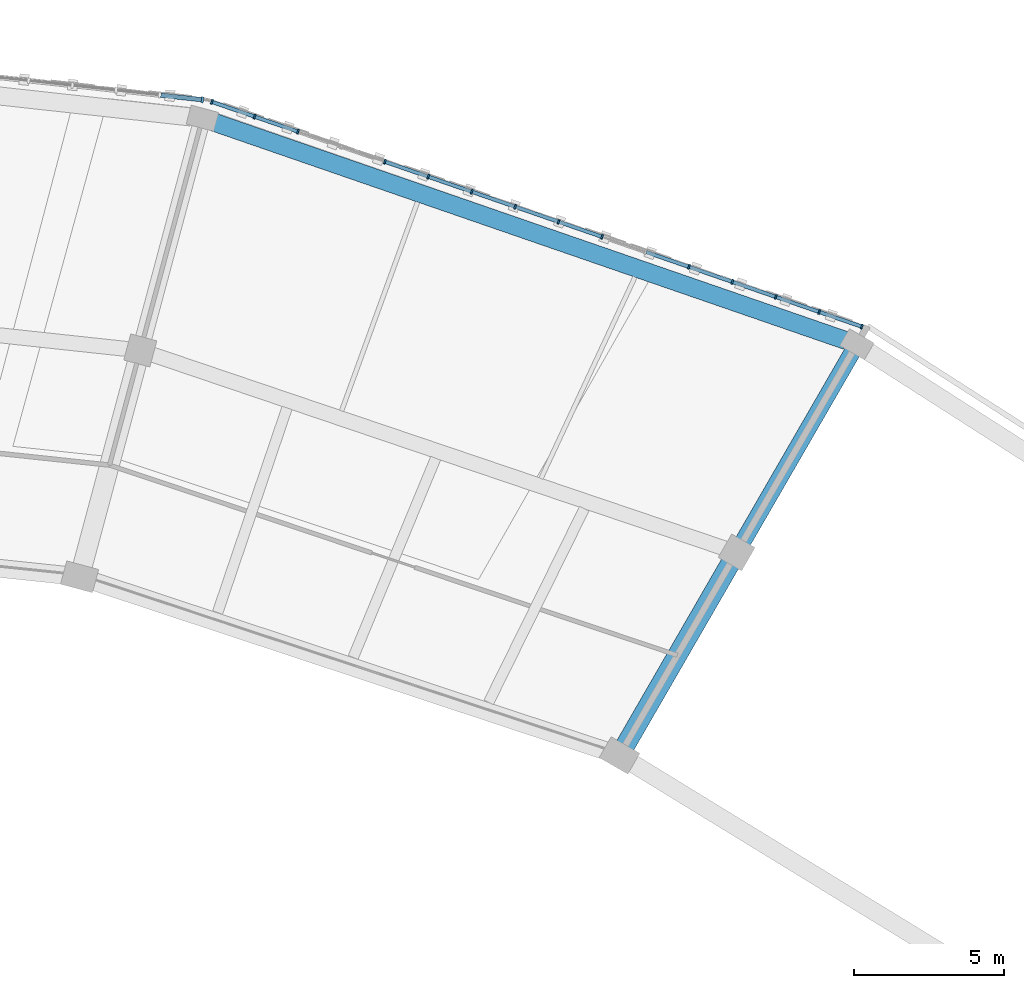
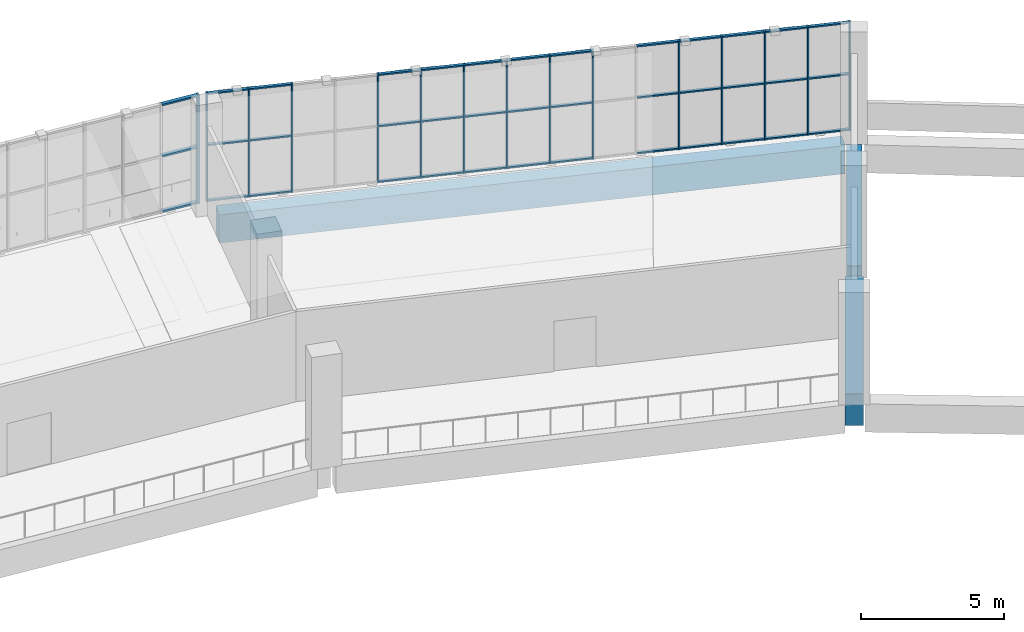
# One storey, part 31 of 64: 54 members, 3 beams, 2 elements without a shape of their own.
"""IFC4 building model written with IfcOpenShell, lengths in metres."""

from ifc_helpers import new_model, si_unit, direction, frame, origin, origin_2d, place, context, subcontext, project, spatial, rectangle, extrude, material, material_profile, profile_set, type_object, element, aggregate, save


model = new_model("IFC4")

# Units and contexts
model_context = context("Model", 3, precision=1e-05, world=origin(), true_north=direction((0.0, 1.0)))
body_context = subcontext(model_context, "Body", "Model", "MODEL_VIEW")
ifc_project = project(units=[si_unit("LENGTHUNIT", "METRE"), si_unit("AREAUNIT", "SQUARE_METRE"), si_unit("VOLUMEUNIT", "CUBIC_METRE"), si_unit("PLANEANGLEUNIT", "RADIAN"), si_unit("MASSUNIT", "GRAM", prefix="KILO")], contexts=[model_context])

# Site, building, storey
site_placement = place(None, origin())
site = spatial("IfcSite", under=ifc_project, at=site_placement, CompositionType="ELEMENT")
building_placement = place(site_placement, origin())
building = spatial("IfcBuilding", under=site, at=building_placement, Name="Zevraka Park Crest Stadium", CompositionType="ELEMENT")
storey_placement = place(building_placement, frame((0.0, 0.0, 24.60009765625)))
storey = spatial("IfcBuildingStorey", under=building, at=storey_placement, Name="L05", CompositionType="ELEMENT", Elevation=24.60009765625)

# Beams
ifc_material_1 = material(Name="Concrete C40/50", Category="concrete")
ifc_material_profile_1 = material_profile(ifc_material_1, rectangle(XDim=0.64990234375, YDim=1.35009765625, at=origin_2d()), Name="RC 1350x650")
ifc_profile_set_1 = profile_set([ifc_material_profile_1], Name="Concrete C40/50")
beam_type_1 = type_object("IfcBeamType", Name="BG01", PredefinedType="BEAM", material=ifc_profile_set_1)
beam_1_placement = place(storey_placement, frame((149.39990234375, 143.7890625, -0.68505859375), z_axis=(0.500041424909, 0.866001485781, 0.0), x_axis=(-0.866001485781, 0.500041424909, 0.0)))
element("IfcBeam", 1, at=beam_1_placement, inside=storey, type_object=beam_type_1, Name="Radial Girder BG01 L05-BC-04", PredefinedType="BEAM", context=body_context, shape_type="SweptSolid", body=[
    extrude(rectangle(XDim=0.64990234375, YDim=1.35009765625, at=origin_2d()), origin(), (0.0, 0.0, 1.0), 7.19970703125),
])
ifc_material_2 = material(Name="Concrete C40/50", Category="concrete")
ifc_material_profile_2 = material_profile(ifc_material_2, rectangle(XDim=0.550048828125, YDim=1.10009765625, at=origin_2d()), Name="RC 1100x550")
ifc_profile_set_2 = profile_set([ifc_material_profile_2], Name="Concrete C40/50")
beam_type_2 = type_object("IfcBeamType", Name="BG02", PredefinedType="BEAM", material=ifc_profile_set_2)
beam_2_placement = place(storey_placement, frame((153.300048828125, 150.5439453125, -0.56005859375), z_axis=(0.500031859608, 0.86600700885, 0.0), x_axis=(-0.86600700885, 0.500031859608, 0.0)))
element("IfcBeam", 2, at=beam_2_placement, inside=storey, type_object=beam_type_2, Name="Radial Girder BG02 L05-CD-04", PredefinedType="BEAM", context=body_context, shape_type="SweptSolid", body=[
    extrude(rectangle(XDim=0.550048828125, YDim=1.10009765625, at=origin_2d()), origin(), (0.0, 0.0, 1.0), 7.3994140625),
])

# Curtain wall, members
ifc_material_3 = material(Name="Anodised architectural aluminium and laminated safety glass", Category="aluminium")
curtain_wall_type_1 = type_object("IfcCurtainWallType", Name="CW22", PredefinedType="NOTDEFINED", material=ifc_material_3)
curtain_wall_1_placement = place(storey_placement, origin())
curtain_wall_1 = element("IfcCurtainWall", 3, at=curtain_wall_1_placement, inside=storey, type_object=curtain_wall_type_1, Name="Unitised Ring Curtain Wall CW22 L05-04", PredefinedType="NOTDEFINED")
ifc_material_4 = material(Name="Anodised architectural aluminium", Category="aluminium")
ifc_material_profile_3 = material_profile(ifc_material_4, rectangle(XDim=0.159912109375, YDim=0.06005859375, at=origin_2d()), Name="ALU MULLION 160x60")
ifc_profile_set_3 = profile_set([ifc_material_profile_3], Name="Anodised architectural aluminium")
member_type_1 = type_object("IfcMemberType", Name="CM01", PredefinedType="MULLION", material=ifc_profile_set_3)
member_1_placement = place(storey_placement, frame((157.313720703125, 157.7978515625, 0.0), z_axis=(0.0, 0.0, 1.0), x_axis=(-0.326929424834, -0.945048755979, 0.0)))
member_1 = element("IfcMember", 4, at=member_1_placement, type_object=member_type_1, Name="CW22 mullion 1", PredefinedType="MULLION", context=body_context, shape_type="SweptSolid", body=[
    extrude(rectangle(XDim=0.159912109375, YDim=0.06005859375, at=origin_2d()), origin(), (0.0, 0.0, 1.0), 4.619873046875),
])
member_2_placement = place(storey_placement, frame((155.896484375, 158.2880859375, 0.0), z_axis=(0.0, 0.0, 1.0), x_axis=(-0.326929424834, -0.945048755979, 0.0)))
member_2 = element("IfcMember", 5, at=member_2_placement, type_object=member_type_1, Name="CW22 mullion 2", PredefinedType="MULLION", context=body_context, shape_type="SweptSolid", body=[
    extrude(rectangle(XDim=0.159912109375, YDim=0.06005859375, at=origin_2d()), origin(), (0.0, 0.0, 1.0), 4.619873046875),
])
member_3_placement = place(storey_placement, frame((154.450927734375, 158.7880859375, 0.0), z_axis=(0.0, 0.0, 1.0), x_axis=(-0.326929424834, -0.945048755979, 0.0)))
member_3 = element("IfcMember", 6, at=member_3_placement, type_object=member_type_1, Name="CW22 mullion 3", PredefinedType="MULLION", context=body_context, shape_type="SweptSolid", body=[
    extrude(rectangle(XDim=0.159912109375, YDim=0.06005859375, at=origin_2d()), origin(), (0.0, 0.0, 1.0), 4.619873046875),
])
member_4_placement = place(storey_placement, frame((153.00537109375, 159.2880859375, 0.0), z_axis=(0.0, 0.0, 1.0), x_axis=(-0.326929424834, -0.945048755979, 0.0)))
member_4 = element("IfcMember", 7, at=member_4_placement, type_object=member_type_1, Name="CW22 mullion 4", PredefinedType="MULLION", context=body_context, shape_type="SweptSolid", body=[
    extrude(rectangle(XDim=0.159912109375, YDim=0.06005859375, at=origin_2d()), origin(), (0.0, 0.0, 1.0), 4.619873046875),
])
member_5_placement = place(storey_placement, frame((151.559814453125, 159.788330078125, 0.0), z_axis=(0.0, 0.0, 1.0), x_axis=(-0.326929424834, -0.945048755979, 0.0)))
member_5 = element("IfcMember", 8, at=member_5_placement, type_object=member_type_1, Name="CW22 mullion 5", PredefinedType="MULLION", context=body_context, shape_type="SweptSolid", body=[
    extrude(rectangle(XDim=0.159912109375, YDim=0.06005859375, at=origin_2d()), origin(), (0.0, 0.0, 1.0), 4.619873046875),
])
member_6_placement = place(storey_placement, frame((148.668701171875, 160.788330078125, 0.0), z_axis=(0.0, 0.0, 1.0), x_axis=(-0.326929424834, -0.945048755979, 0.0)))
member_6 = element("IfcMember", 9, at=member_6_placement, type_object=member_type_1, Name="CW22 mullion 7", PredefinedType="MULLION", context=body_context, shape_type="SweptSolid", body=[
    extrude(rectangle(XDim=0.159912109375, YDim=0.06005859375, at=origin_2d()), origin(), (0.0, 0.0, 1.0), 4.619873046875),
])
member_7_placement = place(storey_placement, frame((147.223388671875, 161.28857421875, 0.0), z_axis=(0.0, 0.0, 1.0), x_axis=(-0.326929424834, -0.945048755979, 0.0)))
member_7 = element("IfcMember", 10, at=member_7_placement, type_object=member_type_1, Name="CW22 mullion 8", PredefinedType="MULLION", context=body_context, shape_type="SweptSolid", body=[
    extrude(rectangle(XDim=0.159912109375, YDim=0.06005859375, at=origin_2d()), origin(), (0.0, 0.0, 1.0), 4.619873046875),
])
member_8_placement = place(storey_placement, frame((145.77783203125, 161.78857421875, 0.0), z_axis=(0.0, 0.0, 1.0), x_axis=(-0.326929424834, -0.945048755979, 0.0)))
member_8 = element("IfcMember", 11, at=member_8_placement, type_object=member_type_1, Name="CW22 mullion 9", PredefinedType="MULLION", context=body_context, shape_type="SweptSolid", body=[
    extrude(rectangle(XDim=0.159912109375, YDim=0.06005859375, at=origin_2d()), origin(), (0.0, 0.0, 1.0), 4.619873046875),
])
member_9_placement = place(storey_placement, frame((144.332275390625, 162.28857421875, 0.0), z_axis=(0.0, 0.0, 1.0), x_axis=(-0.326929424834, -0.945048755979, 0.0)))
member_9 = element("IfcMember", 12, at=member_9_placement, type_object=member_type_1, Name="CW22 mullion 10", PredefinedType="MULLION", context=body_context, shape_type="SweptSolid", body=[
    extrude(rectangle(XDim=0.159912109375, YDim=0.06005859375, at=origin_2d()), origin(), (0.0, 0.0, 1.0), 4.619873046875),
])
member_10_placement = place(storey_placement, frame((142.88671875, 162.78857421875, 0.0), z_axis=(0.0, 0.0, 1.0), x_axis=(-0.326929424834, -0.945048755979, 0.0)))
member_10 = element("IfcMember", 13, at=member_10_placement, type_object=member_type_1, Name="CW22 mullion 11", PredefinedType="MULLION", context=body_context, shape_type="SweptSolid", body=[
    extrude(rectangle(XDim=0.159912109375, YDim=0.06005859375, at=origin_2d()), origin(), (0.0, 0.0, 1.0), 4.619873046875),
])
member_11_placement = place(storey_placement, frame((141.441162109375, 163.288818359375, 0.0), z_axis=(0.0, 0.0, 1.0), x_axis=(-0.326929424834, -0.945048755979, 0.0)))
member_11 = element("IfcMember", 14, at=member_11_placement, type_object=member_type_1, Name="CW22 mullion 12", PredefinedType="MULLION", context=body_context, shape_type="SweptSolid", body=[
    extrude(rectangle(XDim=0.159912109375, YDim=0.06005859375, at=origin_2d()), origin(), (0.0, 0.0, 1.0), 4.619873046875),
])
member_12_placement = place(storey_placement, frame((138.550048828125, 164.288818359375, 0.0), z_axis=(0.0, 0.0, 1.0), x_axis=(-0.326929424834, -0.945048755979, 0.0)))
member_12 = element("IfcMember", 15, at=member_12_placement, type_object=member_type_1, Name="CW22 mullion 14", PredefinedType="MULLION", context=body_context, shape_type="SweptSolid", body=[
    extrude(rectangle(XDim=0.159912109375, YDim=0.06005859375, at=origin_2d()), origin(), (0.0, 0.0, 1.0), 4.619873046875),
])
member_13_placement = place(storey_placement, frame((137.1044921875, 164.788818359375, 0.0), z_axis=(0.0, 0.0, 1.0), x_axis=(-0.326929424834, -0.945048755979, 0.0)))
member_13 = element("IfcMember", 16, at=member_13_placement, type_object=member_type_1, Name="CW22 mullion 15", PredefinedType="MULLION", context=body_context, shape_type="SweptSolid", body=[
    extrude(rectangle(XDim=0.159912109375, YDim=0.06005859375, at=origin_2d()), origin(), (0.0, 0.0, 1.0), 4.619873046875),
])
member_14_placement = place(storey_placement, frame((135.687255859375, 165.279296875, 0.0), z_axis=(0.0, 0.0, 1.0), x_axis=(-0.326929424834, -0.945048755979, 0.0)))
member_14 = element("IfcMember", 17, at=member_14_placement, type_object=member_type_1, Name="CW22 mullion 16", PredefinedType="MULLION", context=body_context, shape_type="SweptSolid", body=[
    extrude(rectangle(XDim=0.159912109375, YDim=0.06005859375, at=origin_2d()), origin(), (0.0, 0.0, 1.0), 4.619873046875),
])

# Curtain wall, member
ifc_material_5 = material(Name="Anodised architectural aluminium and laminated safety glass", Category="aluminium")
curtain_wall_type_2 = type_object("IfcCurtainWallType", Name="CW21", PredefinedType="NOTDEFINED", material=ifc_material_5)
curtain_wall_2_placement = place(storey_placement, origin())
curtain_wall_2 = element("IfcCurtainWall", 18, at=curtain_wall_2_placement, inside=storey, type_object=curtain_wall_type_2, Name="Unitised Ring Curtain Wall CW21 L05-05", PredefinedType="NOTDEFINED")
ifc_material_6 = material(Name="Anodised architectural aluminium", Category="aluminium")
ifc_material_profile_4 = material_profile(ifc_material_6, rectangle(XDim=0.199951171875, YDim=0.070068359375, at=origin_2d()), Name="ALU MULLION 200x70")
ifc_profile_set_4 = profile_set([ifc_material_profile_4], Name="Anodised architectural aluminium")
member_type_2 = type_object("IfcMemberType", Name="CM03", PredefinedType="MULLION", material=ifc_profile_set_4)
member_15_placement = place(storey_placement, frame((135.3701171875, 165.349853515625, 0.0), z_axis=(0.0, 0.0, 1.0), x_axis=(-0.109287733215, -0.994010156572, 0.0)))
member_15 = element("IfcMember", 19, at=member_15_placement, type_object=member_type_2, Name="CW21 mullion 1", PredefinedType="MULLION", context=body_context, shape_type="SweptSolid", body=[
    extrude(rectangle(XDim=0.199951171875, YDim=0.070068359375, at=origin_2d()), origin(), (0.0, 0.0, 1.0), 4.619873046875),
])

# Member
ifc_material_7 = material(Name="Anodised architectural aluminium", Category="aluminium")
ifc_material_profile_5 = material_profile(ifc_material_7, rectangle(XDim=0.1201171875, YDim=0.06005859375, at=origin_2d()), Name="ALU TRANSOM 120x60")
ifc_profile_set_5 = profile_set([ifc_material_profile_5], Name="Anodised architectural aluminium")
member_type_3 = type_object("IfcMemberType", Name="CT01", PredefinedType="USERDEFINED", material=ifc_profile_set_5)
member_16_placement = place(storey_placement, frame((157.285400390625, 157.8076171875, 0.02978515625), z_axis=(-0.945044524948, 0.326941655141, 0.0), x_axis=(-0.326941655141, -0.945044524948, 0.0)))
member_16 = element("IfcMember", 20, at=member_16_placement, type_object=member_type_3, Name="CW22 transom 1.1", ObjectType="TRANSOM", PredefinedType="USERDEFINED", context=body_context, shape_type="SweptSolid", body=[
    extrude(rectangle(XDim=0.1201171875, YDim=0.06005859375, at=origin_2d()), origin(), (0.0, 0.0, 1.0), 1.439697265625),
])

member_17_placement = place(storey_placement, frame((157.285400390625, 157.8076171875, 2.39990234375), z_axis=(-0.945044524948, 0.326941655141, 0.0), x_axis=(-0.326941655141, -0.945044524948, 0.0)))
member_17 = element("IfcMember", 21, at=member_17_placement, type_object=member_type_3, Name="CW22 transom 1.2", ObjectType="TRANSOM", PredefinedType="USERDEFINED", context=body_context, shape_type="SweptSolid", body=[
    extrude(rectangle(XDim=0.1201171875, YDim=0.06005859375, at=origin_2d()), origin(), (0.0, 0.0, 1.0), 1.439697265625),
])

member_18_placement = place(storey_placement, frame((157.285400390625, 157.8076171875, 4.58984375), z_axis=(-0.945044524948, 0.326941655141, 0.0), x_axis=(-0.326941655141, -0.945044524948, 0.0)))
member_18 = element("IfcMember", 22, at=member_18_placement, type_object=member_type_3, Name="CW22 transom 1.3", ObjectType="TRANSOM", PredefinedType="USERDEFINED", context=body_context, shape_type="SweptSolid", body=[
    extrude(rectangle(XDim=0.1201171875, YDim=0.06005859375, at=origin_2d()), origin(), (0.0, 0.0, 1.0), 1.439697265625),
])

member_19_placement = place(storey_placement, frame((155.8681640625, 158.2978515625, 0.02978515625), z_axis=(-0.945051229525, 0.326922274513, 0.0), x_axis=(-0.326922274513, -0.945051229525, 0.0)))
member_19 = element("IfcMember", 23, at=member_19_placement, type_object=member_type_3, Name="CW22 transom 2.1", ObjectType="TRANSOM", PredefinedType="USERDEFINED", context=body_context, shape_type="SweptSolid", body=[
    extrude(rectangle(XDim=0.1201171875, YDim=0.06005859375, at=origin_2d()), origin(), (0.0, 0.0, 1.0), 1.4697265625),
])

member_20_placement = place(storey_placement, frame((155.8681640625, 158.2978515625, 2.39990234375), z_axis=(-0.945051229525, 0.326922274513, 0.0), x_axis=(-0.326922274513, -0.945051229525, 0.0)))
member_20 = element("IfcMember", 24, at=member_20_placement, type_object=member_type_3, Name="CW22 transom 2.2", ObjectType="TRANSOM", PredefinedType="USERDEFINED", context=body_context, shape_type="SweptSolid", body=[
    extrude(rectangle(XDim=0.1201171875, YDim=0.06005859375, at=origin_2d()), origin(), (0.0, 0.0, 1.0), 1.4697265625),
])

member_21_placement = place(storey_placement, frame((155.8681640625, 158.2978515625, 4.58984375), z_axis=(-0.945051229525, 0.326922274513, 0.0), x_axis=(-0.326922274513, -0.945051229525, 0.0)))
member_21 = element("IfcMember", 25, at=member_21_placement, type_object=member_type_3, Name="CW22 transom 2.3", ObjectType="TRANSOM", PredefinedType="USERDEFINED", context=body_context, shape_type="SweptSolid", body=[
    extrude(rectangle(XDim=0.1201171875, YDim=0.06005859375, at=origin_2d()), origin(), (0.0, 0.0, 1.0), 1.4697265625),
])

member_22_placement = place(storey_placement, frame((154.422607421875, 158.7978515625, 0.02978515625), z_axis=(-0.945051229525, 0.326922274513, 0.0), x_axis=(-0.326922274513, -0.945051229525, 0.0)))
member_22 = element("IfcMember", 26, at=member_22_placement, type_object=member_type_3, Name="CW22 transom 3.1", ObjectType="TRANSOM", PredefinedType="USERDEFINED", context=body_context, shape_type="SweptSolid", body=[
    extrude(rectangle(XDim=0.1201171875, YDim=0.06005859375, at=origin_2d()), origin(), (0.0, 0.0, 1.0), 1.4697265625),
])

member_23_placement = place(storey_placement, frame((154.422607421875, 158.7978515625, 2.39990234375), z_axis=(-0.945051229525, 0.326922274513, 0.0), x_axis=(-0.326922274513, -0.945051229525, 0.0)))
member_23 = element("IfcMember", 27, at=member_23_placement, type_object=member_type_3, Name="CW22 transom 3.2", ObjectType="TRANSOM", PredefinedType="USERDEFINED", context=body_context, shape_type="SweptSolid", body=[
    extrude(rectangle(XDim=0.1201171875, YDim=0.06005859375, at=origin_2d()), origin(), (0.0, 0.0, 1.0), 1.4697265625),
])

member_24_placement = place(storey_placement, frame((154.422607421875, 158.7978515625, 4.58984375), z_axis=(-0.945051229525, 0.326922274513, 0.0), x_axis=(-0.326922274513, -0.945051229525, 0.0)))
member_24 = element("IfcMember", 28, at=member_24_placement, type_object=member_type_3, Name="CW22 transom 3.3", ObjectType="TRANSOM", PredefinedType="USERDEFINED", context=body_context, shape_type="SweptSolid", body=[
    extrude(rectangle(XDim=0.1201171875, YDim=0.06005859375, at=origin_2d()), origin(), (0.0, 0.0, 1.0), 1.4697265625),
])

member_25_placement = place(storey_placement, frame((152.97705078125, 159.298095703125, 0.02978515625), z_axis=(-0.945051229525, 0.326922274513, 0.0), x_axis=(-0.326922274513, -0.945051229525, 0.0)))
member_25 = element("IfcMember", 29, at=member_25_placement, type_object=member_type_3, Name="CW22 transom 4.1", ObjectType="TRANSOM", PredefinedType="USERDEFINED", context=body_context, shape_type="SweptSolid", body=[
    extrude(rectangle(XDim=0.1201171875, YDim=0.06005859375, at=origin_2d()), origin(), (0.0, 0.0, 1.0), 1.4697265625),
])

member_26_placement = place(storey_placement, frame((152.97705078125, 159.298095703125, 2.39990234375), z_axis=(-0.945051229525, 0.326922274513, 0.0), x_axis=(-0.326922274513, -0.945051229525, 0.0)))
member_26 = element("IfcMember", 30, at=member_26_placement, type_object=member_type_3, Name="CW22 transom 4.2", ObjectType="TRANSOM", PredefinedType="USERDEFINED", context=body_context, shape_type="SweptSolid", body=[
    extrude(rectangle(XDim=0.1201171875, YDim=0.06005859375, at=origin_2d()), origin(), (0.0, 0.0, 1.0), 1.4697265625),
])

member_27_placement = place(storey_placement, frame((152.97705078125, 159.298095703125, 4.58984375), z_axis=(-0.945051229525, 0.326922274513, 0.0), x_axis=(-0.326922274513, -0.945051229525, 0.0)))
member_27 = element("IfcMember", 31, at=member_27_placement, type_object=member_type_3, Name="CW22 transom 4.3", ObjectType="TRANSOM", PredefinedType="USERDEFINED", context=body_context, shape_type="SweptSolid", body=[
    extrude(rectangle(XDim=0.1201171875, YDim=0.06005859375, at=origin_2d()), origin(), (0.0, 0.0, 1.0), 1.4697265625),
])

member_28_placement = place(storey_placement, frame((151.531494140625, 159.798095703125, 0.02978515625), z_axis=(-0.945051229525, 0.326922274513, 0.0), x_axis=(-0.326922274513, -0.945051229525, 0.0)))
member_28 = element("IfcMember", 32, at=member_28_placement, type_object=member_type_3, Name="CW22 transom 5.1", ObjectType="TRANSOM", PredefinedType="USERDEFINED", context=body_context, shape_type="SweptSolid", body=[
    extrude(rectangle(XDim=0.1201171875, YDim=0.06005859375, at=origin_2d()), origin(), (0.0, 0.0, 1.0), 1.4697265625),
])

member_29_placement = place(storey_placement, frame((151.531494140625, 159.798095703125, 2.39990234375), z_axis=(-0.945051229525, 0.326922274513, 0.0), x_axis=(-0.326922274513, -0.945051229525, 0.0)))
member_29 = element("IfcMember", 33, at=member_29_placement, type_object=member_type_3, Name="CW22 transom 5.2", ObjectType="TRANSOM", PredefinedType="USERDEFINED", context=body_context, shape_type="SweptSolid", body=[
    extrude(rectangle(XDim=0.1201171875, YDim=0.06005859375, at=origin_2d()), origin(), (0.0, 0.0, 1.0), 1.4697265625),
])

member_30_placement = place(storey_placement, frame((151.531494140625, 159.798095703125, 4.58984375), z_axis=(-0.945051229525, 0.326922274513, 0.0), x_axis=(-0.326922274513, -0.945051229525, 0.0)))
member_30 = element("IfcMember", 34, at=member_30_placement, type_object=member_type_3, Name="CW22 transom 5.3", ObjectType="TRANSOM", PredefinedType="USERDEFINED", context=body_context, shape_type="SweptSolid", body=[
    extrude(rectangle(XDim=0.1201171875, YDim=0.06005859375, at=origin_2d()), origin(), (0.0, 0.0, 1.0), 1.4697265625),
])

member_31_placement = place(storey_placement, frame((148.640380859375, 160.798095703125, 0.02978515625), z_axis=(-0.945033470844, 0.326973605946, 0.0), x_axis=(-0.326973605946, -0.945033470844, 0.0)))
member_31 = element("IfcMember", 35, at=member_31_placement, type_object=member_type_3, Name="CW22 transom 7.1", ObjectType="TRANSOM", PredefinedType="USERDEFINED", context=body_context, shape_type="SweptSolid", body=[
    extrude(rectangle(XDim=0.1201171875, YDim=0.06005859375, at=origin_2d()), origin(), (0.0, 0.0, 1.0), 1.469482421875),
])

member_32_placement = place(storey_placement, frame((148.640380859375, 160.798095703125, 2.39990234375), z_axis=(-0.945033470844, 0.326973605946, 0.0), x_axis=(-0.326973605946, -0.945033470844, 0.0)))
member_32 = element("IfcMember", 36, at=member_32_placement, type_object=member_type_3, Name="CW22 transom 7.2", ObjectType="TRANSOM", PredefinedType="USERDEFINED", context=body_context, shape_type="SweptSolid", body=[
    extrude(rectangle(XDim=0.1201171875, YDim=0.06005859375, at=origin_2d()), origin(), (0.0, 0.0, 1.0), 1.469482421875),
])

member_33_placement = place(storey_placement, frame((148.640380859375, 160.798095703125, 4.58984375), z_axis=(-0.945033470844, 0.326973605946, 0.0), x_axis=(-0.326973605946, -0.945033470844, 0.0)))
member_33 = element("IfcMember", 37, at=member_33_placement, type_object=member_type_3, Name="CW22 transom 7.3", ObjectType="TRANSOM", PredefinedType="USERDEFINED", context=body_context, shape_type="SweptSolid", body=[
    extrude(rectangle(XDim=0.1201171875, YDim=0.06005859375, at=origin_2d()), origin(), (0.0, 0.0, 1.0), 1.469482421875),
])

member_34_placement = place(storey_placement, frame((147.19482421875, 161.29833984375, 0.02978515625), z_axis=(-0.945033470844, 0.326973605946, 0.0), x_axis=(-0.326973605946, -0.945033470844, 0.0)))
member_34 = element("IfcMember", 38, at=member_34_placement, type_object=member_type_3, Name="CW22 transom 8.1", ObjectType="TRANSOM", PredefinedType="USERDEFINED", context=body_context, shape_type="SweptSolid", body=[
    extrude(rectangle(XDim=0.1201171875, YDim=0.06005859375, at=origin_2d()), origin(), (0.0, 0.0, 1.0), 1.469482421875),
])

member_35_placement = place(storey_placement, frame((147.19482421875, 161.29833984375, 2.39990234375), z_axis=(-0.945033470844, 0.326973605946, 0.0), x_axis=(-0.326973605946, -0.945033470844, 0.0)))
member_35 = element("IfcMember", 39, at=member_35_placement, type_object=member_type_3, Name="CW22 transom 8.2", ObjectType="TRANSOM", PredefinedType="USERDEFINED", context=body_context, shape_type="SweptSolid", body=[
    extrude(rectangle(XDim=0.1201171875, YDim=0.06005859375, at=origin_2d()), origin(), (0.0, 0.0, 1.0), 1.469482421875),
])

member_36_placement = place(storey_placement, frame((147.19482421875, 161.29833984375, 4.58984375), z_axis=(-0.945033470844, 0.326973605946, 0.0), x_axis=(-0.326973605946, -0.945033470844, 0.0)))
member_36 = element("IfcMember", 40, at=member_36_placement, type_object=member_type_3, Name="CW22 transom 8.3", ObjectType="TRANSOM", PredefinedType="USERDEFINED", context=body_context, shape_type="SweptSolid", body=[
    extrude(rectangle(XDim=0.1201171875, YDim=0.06005859375, at=origin_2d()), origin(), (0.0, 0.0, 1.0), 1.469482421875),
])

member_37_placement = place(storey_placement, frame((145.749267578125, 161.79833984375, 0.02978515625), z_axis=(-0.945033470844, 0.326973605946, 0.0), x_axis=(-0.326973605946, -0.945033470844, 0.0)))
member_37 = element("IfcMember", 41, at=member_37_placement, type_object=member_type_3, Name="CW22 transom 9.1", ObjectType="TRANSOM", PredefinedType="USERDEFINED", context=body_context, shape_type="SweptSolid", body=[
    extrude(rectangle(XDim=0.1201171875, YDim=0.06005859375, at=origin_2d()), origin(), (0.0, 0.0, 1.0), 1.469482421875),
])

member_38_placement = place(storey_placement, frame((145.749267578125, 161.79833984375, 2.39990234375), z_axis=(-0.945033470844, 0.326973605946, 0.0), x_axis=(-0.326973605946, -0.945033470844, 0.0)))
member_38 = element("IfcMember", 42, at=member_38_placement, type_object=member_type_3, Name="CW22 transom 9.2", ObjectType="TRANSOM", PredefinedType="USERDEFINED", context=body_context, shape_type="SweptSolid", body=[
    extrude(rectangle(XDim=0.1201171875, YDim=0.06005859375, at=origin_2d()), origin(), (0.0, 0.0, 1.0), 1.469482421875),
])

member_39_placement = place(storey_placement, frame((145.749267578125, 161.79833984375, 4.58984375), z_axis=(-0.945033470844, 0.326973605946, 0.0), x_axis=(-0.326973605946, -0.945033470844, 0.0)))
member_39 = element("IfcMember", 43, at=member_39_placement, type_object=member_type_3, Name="CW22 transom 9.3", ObjectType="TRANSOM", PredefinedType="USERDEFINED", context=body_context, shape_type="SweptSolid", body=[
    extrude(rectangle(XDim=0.1201171875, YDim=0.06005859375, at=origin_2d()), origin(), (0.0, 0.0, 1.0), 1.469482421875),
])

member_40_placement = place(storey_placement, frame((144.303955078125, 162.29833984375, 0.02978515625), z_axis=(-0.945051229525, 0.326922274513, 0.0), x_axis=(-0.326922274513, -0.945051229525, 0.0)))
member_40 = element("IfcMember", 44, at=member_40_placement, type_object=member_type_3, Name="CW22 transom 10.1", ObjectType="TRANSOM", PredefinedType="USERDEFINED", context=body_context, shape_type="SweptSolid", body=[
    extrude(rectangle(XDim=0.1201171875, YDim=0.06005859375, at=origin_2d()), origin(), (0.0, 0.0, 1.0), 1.4697265625),
])

member_41_placement = place(storey_placement, frame((144.303955078125, 162.29833984375, 2.39990234375), z_axis=(-0.945051229525, 0.326922274513, 0.0), x_axis=(-0.326922274513, -0.945051229525, 0.0)))
member_41 = element("IfcMember", 45, at=member_41_placement, type_object=member_type_3, Name="CW22 transom 10.2", ObjectType="TRANSOM", PredefinedType="USERDEFINED", context=body_context, shape_type="SweptSolid", body=[
    extrude(rectangle(XDim=0.1201171875, YDim=0.06005859375, at=origin_2d()), origin(), (0.0, 0.0, 1.0), 1.4697265625),
])

member_42_placement = place(storey_placement, frame((144.303955078125, 162.29833984375, 4.58984375), z_axis=(-0.945051229525, 0.326922274513, 0.0), x_axis=(-0.326922274513, -0.945051229525, 0.0)))
member_42 = element("IfcMember", 46, at=member_42_placement, type_object=member_type_3, Name="CW22 transom 10.3", ObjectType="TRANSOM", PredefinedType="USERDEFINED", context=body_context, shape_type="SweptSolid", body=[
    extrude(rectangle(XDim=0.1201171875, YDim=0.06005859375, at=origin_2d()), origin(), (0.0, 0.0, 1.0), 1.4697265625),
])

member_43_placement = place(storey_placement, frame((142.8583984375, 162.798583984375, 0.02978515625), z_axis=(-0.945102544521, 0.326773897886, 0.0), x_axis=(-0.326773897886, -0.945102544521, 0.0)))
member_43 = element("IfcMember", 47, at=member_43_placement, type_object=member_type_3, Name="CW22 transom 11.1", ObjectType="TRANSOM", PredefinedType="USERDEFINED", context=body_context, shape_type="SweptSolid", body=[
    extrude(rectangle(XDim=0.1201171875, YDim=0.06005859375, at=origin_2d()), origin(), (0.0, 0.0, 1.0), 1.469482421875),
])

member_44_placement = place(storey_placement, frame((142.8583984375, 162.798583984375, 2.39990234375), z_axis=(-0.945102544521, 0.326773897886, 0.0), x_axis=(-0.326773897886, -0.945102544521, 0.0)))
member_44 = element("IfcMember", 48, at=member_44_placement, type_object=member_type_3, Name="CW22 transom 11.2", ObjectType="TRANSOM", PredefinedType="USERDEFINED", context=body_context, shape_type="SweptSolid", body=[
    extrude(rectangle(XDim=0.1201171875, YDim=0.06005859375, at=origin_2d()), origin(), (0.0, 0.0, 1.0), 1.469482421875),
])

member_45_placement = place(storey_placement, frame((142.8583984375, 162.798583984375, 4.58984375), z_axis=(-0.945102544521, 0.326773897886, 0.0), x_axis=(-0.326773897886, -0.945102544521, 0.0)))
member_45 = element("IfcMember", 49, at=member_45_placement, type_object=member_type_3, Name="CW22 transom 11.3", ObjectType="TRANSOM", PredefinedType="USERDEFINED", context=body_context, shape_type="SweptSolid", body=[
    extrude(rectangle(XDim=0.1201171875, YDim=0.06005859375, at=origin_2d()), origin(), (0.0, 0.0, 1.0), 1.469482421875),
])

member_46_placement = place(storey_placement, frame((138.521728515625, 164.298583984375, 0.02978515625), z_axis=(-0.945051229525, 0.326922274513, 0.0), x_axis=(-0.326922274513, -0.945051229525, 0.0)))
member_46 = element("IfcMember", 50, at=member_46_placement, type_object=member_type_3, Name="CW22 transom 14.1", ObjectType="TRANSOM", PredefinedType="USERDEFINED", context=body_context, shape_type="SweptSolid", body=[
    extrude(rectangle(XDim=0.1201171875, YDim=0.06005859375, at=origin_2d()), origin(), (0.0, 0.0, 1.0), 1.4697265625),
])

member_47_placement = place(storey_placement, frame((138.521728515625, 164.298583984375, 2.39990234375), z_axis=(-0.945051229525, 0.326922274513, 0.0), x_axis=(-0.326922274513, -0.945051229525, 0.0)))
member_47 = element("IfcMember", 51, at=member_47_placement, type_object=member_type_3, Name="CW22 transom 14.2", ObjectType="TRANSOM", PredefinedType="USERDEFINED", context=body_context, shape_type="SweptSolid", body=[
    extrude(rectangle(XDim=0.1201171875, YDim=0.06005859375, at=origin_2d()), origin(), (0.0, 0.0, 1.0), 1.4697265625),
])

member_48_placement = place(storey_placement, frame((138.521728515625, 164.298583984375, 4.58984375), z_axis=(-0.945051229525, 0.326922274513, 0.0), x_axis=(-0.326922274513, -0.945051229525, 0.0)))
member_48 = element("IfcMember", 52, at=member_48_placement, type_object=member_type_3, Name="CW22 transom 14.3", ObjectType="TRANSOM", PredefinedType="USERDEFINED", context=body_context, shape_type="SweptSolid", body=[
    extrude(rectangle(XDim=0.1201171875, YDim=0.06005859375, at=origin_2d()), origin(), (0.0, 0.0, 1.0), 1.4697265625),
])

member_49_placement = place(storey_placement, frame((137.076171875, 164.798828125, 0.02978515625), z_axis=(-0.94507879558, 0.326842577007, 0.0), x_axis=(-0.326842577007, -0.94507879558, 0.0)))
member_49 = element("IfcMember", 53, at=member_49_placement, type_object=member_type_3, Name="CW22 transom 15.1", ObjectType="TRANSOM", PredefinedType="USERDEFINED", context=body_context, shape_type="SweptSolid", body=[
    extrude(rectangle(XDim=0.1201171875, YDim=0.06005859375, at=origin_2d()), origin(), (0.0, 0.0, 1.0), 1.439453125),
])

member_50_placement = place(storey_placement, frame((137.076171875, 164.798828125, 2.39990234375), z_axis=(-0.94507879558, 0.326842577007, 0.0), x_axis=(-0.326842577007, -0.94507879558, 0.0)))
member_50 = element("IfcMember", 54, at=member_50_placement, type_object=member_type_3, Name="CW22 transom 15.2", ObjectType="TRANSOM", PredefinedType="USERDEFINED", context=body_context, shape_type="SweptSolid", body=[
    extrude(rectangle(XDim=0.1201171875, YDim=0.06005859375, at=origin_2d()), origin(), (0.0, 0.0, 1.0), 1.439453125),
])

member_51_placement = place(storey_placement, frame((137.076171875, 164.798828125, 4.58984375), z_axis=(-0.94507879558, 0.326842577007, 0.0), x_axis=(-0.326842577007, -0.94507879558, 0.0)))
member_51 = element("IfcMember", 55, at=member_51_placement, type_object=member_type_3, Name="CW22 transom 15.3", ObjectType="TRANSOM", PredefinedType="USERDEFINED", context=body_context, shape_type="SweptSolid", body=[
    extrude(rectangle(XDim=0.1201171875, YDim=0.06005859375, at=origin_2d()), origin(), (0.0, 0.0, 1.0), 1.439453125),
])

aggregate(curtain_wall_1, [member_1, member_2, member_3, member_4, member_5, member_6, member_7, member_8, member_9, member_10, member_11, member_12, member_13, member_14, member_16, member_17, member_18, member_19, member_20, member_21, member_22, member_23, member_24, member_25, member_26, member_27, member_28, member_29, member_30, member_31, member_32, member_33, member_34, member_35, member_36, member_37, member_38, member_39, member_40, member_41, member_42, member_43, member_44, member_45, member_46, member_47, member_48, member_49, member_50, member_51])

ifc_material_8 = material(Name="Anodised architectural aluminium", Category="aluminium")
ifc_material_profile_6 = material_profile(ifc_material_8, rectangle(XDim=0.14990234375, YDim=0.070068359375, at=origin_2d()), Name="ALU TRANSOM 150x70")
ifc_profile_set_6 = profile_set([ifc_material_profile_6], Name="Anodised architectural aluminium")
member_type_4 = type_object("IfcMemberType", Name="CT03", PredefinedType="USERDEFINED", material=ifc_profile_set_6)
member_52_placement = place(storey_placement, frame((135.33544921875, 165.353759765625, 0.034912109375), z_axis=(-0.994012361586, 0.10926767598, 0.0), x_axis=(-0.10926767598, -0.994012361586, 0.0)))
member_52 = element("IfcMember", 56, at=member_52_placement, type_object=member_type_4, Name="CW21 transom 1.1", ObjectType="TRANSOM", PredefinedType="USERDEFINED", context=body_context, shape_type="SweptSolid", body=[
    extrude(rectangle(XDim=0.14990234375, YDim=0.070068359375, at=origin_2d()), origin(), (0.0, 0.0, 1.0), 1.3583984375),
])

member_53_placement = place(storey_placement, frame((135.33544921875, 165.353759765625, 2.39990234375), z_axis=(-0.994012361586, 0.10926767598, 0.0), x_axis=(-0.10926767598, -0.994012361586, 0.0)))
member_53 = element("IfcMember", 57, at=member_53_placement, type_object=member_type_4, Name="CW21 transom 1.2", ObjectType="TRANSOM", PredefinedType="USERDEFINED", context=body_context, shape_type="SweptSolid", body=[
    extrude(rectangle(XDim=0.14990234375, YDim=0.070068359375, at=origin_2d()), origin(), (0.0, 0.0, 1.0), 1.3583984375),
])

member_54_placement = place(storey_placement, frame((135.33544921875, 165.353759765625, 4.5849609375), z_axis=(-0.994012361586, 0.10926767598, 0.0), x_axis=(-0.10926767598, -0.994012361586, 0.0)))
member_54 = element("IfcMember", 58, at=member_54_placement, type_object=member_type_4, Name="CW21 transom 1.3", ObjectType="TRANSOM", PredefinedType="USERDEFINED", context=body_context, shape_type="SweptSolid", body=[
    extrude(rectangle(XDim=0.14990234375, YDim=0.070068359375, at=origin_2d()), origin(), (0.0, 0.0, 1.0), 1.3583984375),
])

aggregate(curtain_wall_2, [member_15, member_52, member_53, member_54])

# Beam
ifc_material_9 = material(Name="Concrete C40/50", Category="concrete")
ifc_material_profile_7 = material_profile(ifc_material_9, rectangle(XDim=0.60009765625, YDim=1.199951171875, at=origin_2d()), Name="RC 1200x600")
ifc_profile_set_7 = profile_set([ifc_material_profile_7], Name="Concrete C40/50")
beam_type_3 = type_object("IfcBeamType", Name="RB01", PredefinedType="BEAM", material=ifc_profile_set_7)
beam_3_placement = place(storey_placement, frame((156.791015625, 157.3359375, -0.610107421875), z_axis=(-0.945210431582, 0.326461697644, 0.0), x_axis=(-0.326461697644, -0.945210431582, 0.0)))
element("IfcBeam", 59, at=beam_3_placement, inside=storey, type_object=beam_type_3, Name="Ring Beam RB01 L05-D-04", PredefinedType="BEAM", context=body_context, shape_type="SweptSolid", body=[
    extrude(rectangle(XDim=0.60009765625, YDim=1.199951171875, at=origin_2d()), origin(), (0.0, 0.0, 1.0), 22.28173828125),
])

save(model, "model.ifc")
